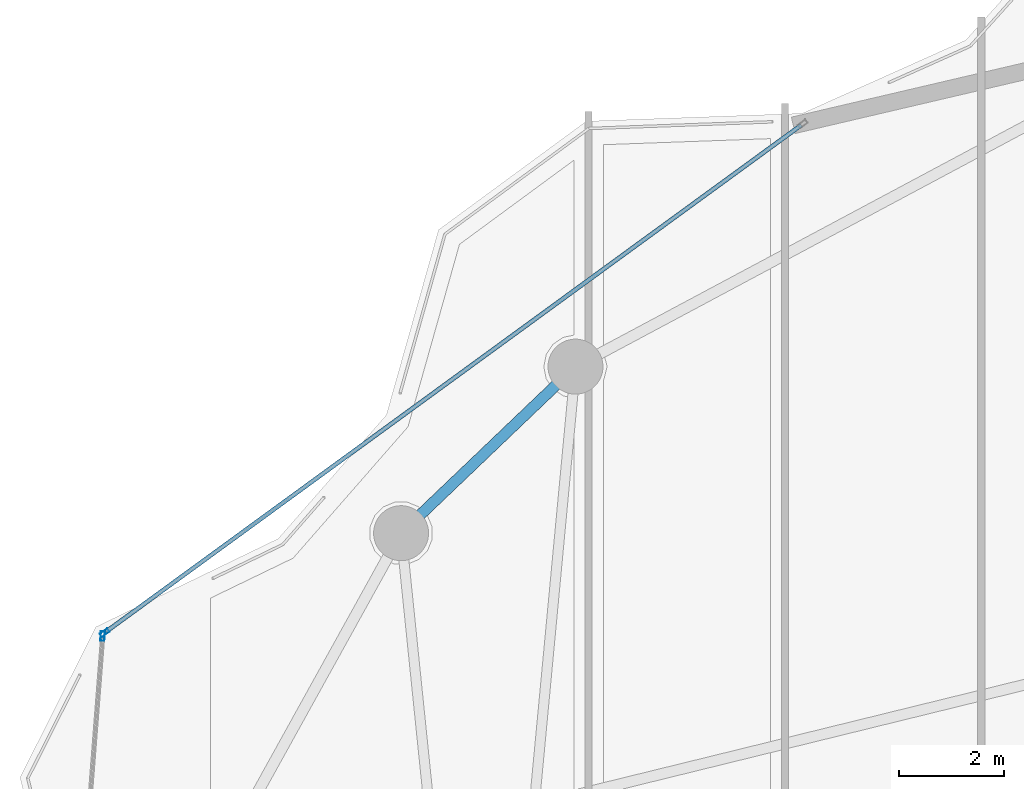
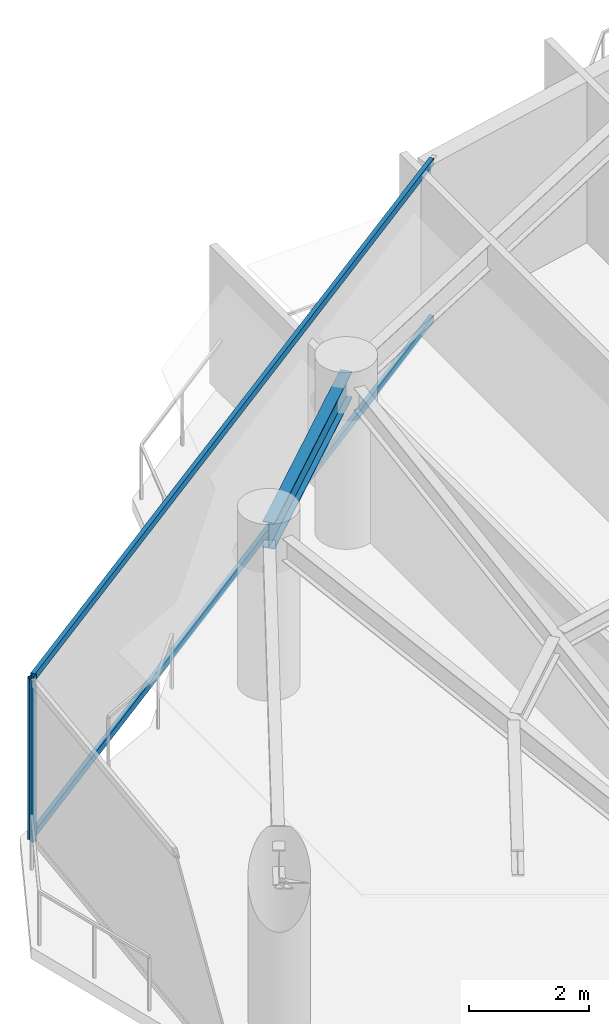
# One storey, part 17 of 31: 4 members, 1 beam, 2 elements without a shape of their own.
"""IFC4 building model written with IfcOpenShell, lengths in metres."""

from ifc_helpers import new_model, si_unit, direction, frame, origin, origin_2d, place, context, subcontext, project, spatial, hollow_rectangle, i_section, extrude, material, layer, layer_set, material_profile, profile_set, type_object, element, aggregate, save


model = new_model("IFC4")

# Units and contexts
model_context = context("Model", 3, precision=1e-05, world=origin(), true_north=direction((0.0, 1.0)))
body_context = subcontext(model_context, "Body", "Model", "MODEL_VIEW")
ifc_project = project(units=[si_unit("LENGTHUNIT", "METRE"), si_unit("AREAUNIT", "SQUARE_METRE"), si_unit("VOLUMEUNIT", "CUBIC_METRE"), si_unit("PLANEANGLEUNIT", "RADIAN"), si_unit("MASSUNIT", "GRAM", prefix="KILO")], contexts=[model_context])

# Site, building, storey
site_placement = place(None, origin())
site = spatial("IfcSite", under=ifc_project, at=site_placement, CompositionType="ELEMENT")
building_placement = place(site_placement, origin())
building = spatial("IfcBuilding", under=site, at=building_placement, Name="Kazevale Care Tower and Concert Hall", CompositionType="ELEMENT")
storey_placement = place(building_placement, frame((0.0, 0.0, 187.199951171875)))
storey = spatial("IfcBuildingStorey", under=building, at=storey_placement, Name="L49", CompositionType="ELEMENT", Elevation=187.199951171875)

# Curtain wall, member
ifc_material_1 = material(Name="Aluminium 6063-T6 and Low-E Glass", Category="aluminium")
ifc_layer = layer(ifc_material_1, 0.179931640625)
ifc_layer_set = layer_set([ifc_layer], Name="Aluminium 6063-T6 and Low-E Glass")
curtain_wall_type = type_object("IfcCurtainWallType", Name="Waist & Upper Residential Curtain Wall CW-4", PredefinedType="NOTDEFINED", material=ifc_layer_set)
curtain_wall_1_placement = place(storey_placement, origin())
curtain_wall_1 = element("IfcCurtainWall", 1, at=curtain_wall_1_placement, inside=storey, type_object=curtain_wall_type, Name="cw:L49:f13", PredefinedType="NOTDEFINED")
ifc_material_2 = material(Name="Aluminium 6063-T6", Category="aluminium")
ifc_material_profile_1 = material_profile(ifc_material_2, hollow_rectangle(XDim=0.080078125, YDim=0.179931640625, WallThickness=0.0048828125, at=origin_2d()), Name="ALU80x180x5")
ifc_profile_set_1 = profile_set([ifc_material_profile_1], Name="Aluminium 6063-T6")
member_type_1 = type_object("IfcMemberType", Name="CW-4 Mullion ALU80x180x5", PredefinedType="MULLION", material=ifc_profile_set_1)
member_1_placement = place(storey_placement, frame((14.722900390625, 49.865234375, 0.0), z_axis=(0.0, 0.0, 1.0), x_axis=(-0.996989311372, 0.077539106325, 0.0)))
member_1 = element("IfcMember", 2, at=member_1_placement, type_object=member_type_1, Name="CW-4 mullion 2", PredefinedType="MULLION", context=body_context, shape_type="SweptSolid", body=[
    extrude(hollow_rectangle(XDim=0.080078125, YDim=0.179931640625, WallThickness=0.0048828125, at=origin_2d()), origin(), (0.0, 0.0, 1.0), 3.280029296875),
])
aggregate(curtain_wall_1, [member_1])

# Curtain wall, members
curtain_wall_2_placement = place(storey_placement, origin())
curtain_wall_2 = element("IfcCurtainWall", 3, at=curtain_wall_2_placement, inside=storey, type_object=curtain_wall_type, Name="cw:L49:f14", PredefinedType="NOTDEFINED")
member_2_placement = place(storey_placement, frame((14.75830078125, 49.928466796875, 0.0), z_axis=(0.0, 0.0, 1.0), x_axis=(-0.588910374145, 0.808198348937, 0.0)))
member_2 = element("IfcMember", 4, at=member_2_placement, type_object=member_type_1, Name="CW-4 mullion 1", PredefinedType="MULLION", context=body_context, shape_type="SweptSolid", body=[
    extrude(hollow_rectangle(XDim=0.080078125, YDim=0.179931640625, WallThickness=0.0048828125, at=origin_2d()), origin(), (0.0, 0.0, 1.0), 3.280029296875),
])
ifc_material_profile_2 = material_profile(ifc_material_2, hollow_rectangle(XDim=0.080078125, YDim=0.139892578125, WallThickness=0.00390625, at=origin_2d()), Name="ALU80x140x4")
ifc_profile_set_2 = profile_set([ifc_material_profile_2], Name="Aluminium 6063-T6")
member_type_2 = type_object("IfcMemberType", Name="CW-4 Transom ALU80x140x4", PredefinedType="USERDEFINED", material=ifc_profile_set_2)
member_3_placement = place(storey_placement, frame((14.790771484375, 49.9521484375, 0.0400390625), z_axis=(0.808197463946, 0.588911588672, 0.0), x_axis=(-0.588911588672, 0.808197463946, 0.0)))
member_3 = element("IfcMember", 5, at=member_3_placement, type_object=member_type_2, Name="CW-4 transom 1.1", ObjectType="TRANSOM", PredefinedType="USERDEFINED", context=body_context, shape_type="SweptSolid", body=[
    extrude(hollow_rectangle(XDim=0.080078125, YDim=0.139892578125, WallThickness=0.00390625, at=origin_2d()), origin(), (0.0, 0.0, 1.0), 16.416259765625),
])
member_4_placement = place(storey_placement, frame((14.790771484375, 49.9521484375, 3.239990234375), z_axis=(0.808197463946, 0.588911588672, 0.0), x_axis=(-0.588911588672, 0.808197463946, 0.0)))
member_4 = element("IfcMember", 6, at=member_4_placement, type_object=member_type_2, Name="CW-4 transom 1.2", ObjectType="TRANSOM", PredefinedType="USERDEFINED", context=body_context, shape_type="SweptSolid", body=[
    extrude(hollow_rectangle(XDim=0.080078125, YDim=0.139892578125, WallThickness=0.00390625, at=origin_2d()), origin(), (0.0, 0.0, 1.0), 16.416259765625),
])
aggregate(curtain_wall_2, [member_2, member_3, member_4])

# Beam
ifc_material_3 = material(Name="Steel ASTM A572 Gr 50", Category="steel")
ifc_material_profile_3 = material_profile(ifc_material_3, i_section(OverallWidth=0.208984375, OverallDepth=0.532958984375, WebThickness=0.01025390625, FlangeThickness=0.015625, at=origin_2d()), Name="W530x92")
ifc_profile_set_3 = profile_set([ifc_material_profile_3], Name="Steel ASTM A572 Gr 50")
beam_type = type_object("IfcBeamType", Name="Upper Ring Beam W530x92", PredefinedType="BEAM", material=ifc_profile_set_3)
beam_placement = place(storey_placement, frame((23.75, 55.010009765625, 3.013427734375), z_axis=(-0.723223118589, -0.690614451585, 0.0), x_axis=(0.690614451585, -0.723223118589, 0.0)))
element("IfcBeam", 7, at=beam_placement, inside=storey, type_object=beam_type, Name="beam:L49:ring:07", PredefinedType="BEAM", context=body_context, shape_type="SweptSolid", body=[
    extrude(i_section(OverallWidth=0.208984375, OverallDepth=0.532958984375, WebThickness=0.01025390625, FlangeThickness=0.015625, at=origin_2d()), origin(), (0.0, 0.0, 1.0), 4.6044921875),
])

save(model, "model.ifc")
